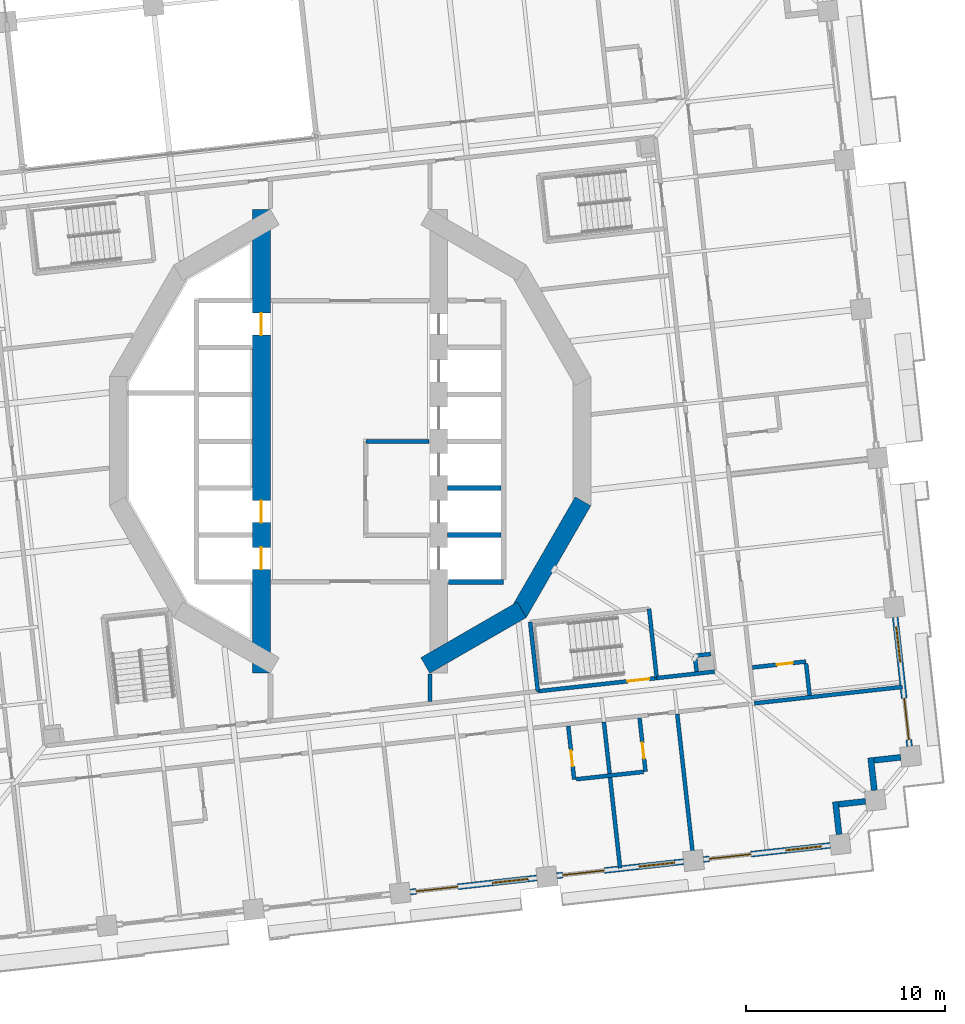
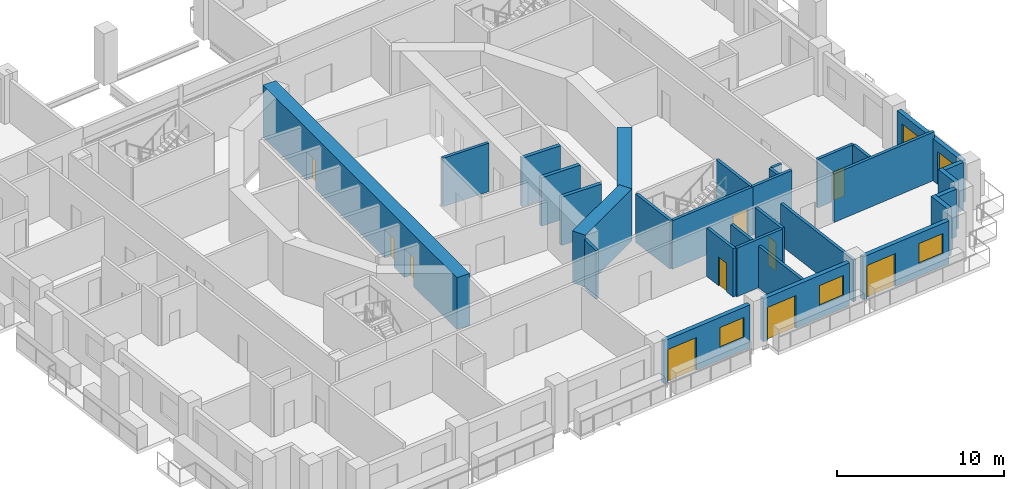
# One storey, part 9 of 21: 30 walls, 11 doors, 4 windows, 15 openings.
"""IFC4 building model written with IfcOpenShell, lengths in metres."""

from ifc_helpers import new_model, si_unit, direction, frame, frame_2d, origin, place, context, subcontext, project, spatial, rectangle, extrude, material, layer, layer_set, type_object, element, fill, save


model = new_model("IFC4")

# Units and contexts
model_context = context("Model", 3, precision=1e-05, world=origin(), true_north=direction((0.0, 1.0)))
body_context = subcontext(model_context, "Body", "Model", "MODEL_VIEW")
ifc_project = project(units=[si_unit("LENGTHUNIT", "METRE"), si_unit("AREAUNIT", "SQUARE_METRE"), si_unit("VOLUMEUNIT", "CUBIC_METRE"), si_unit("PLANEANGLEUNIT", "RADIAN"), si_unit("MASSUNIT", "GRAM", prefix="KILO")], contexts=[model_context])

# Site, building, storey
site_placement = place(None, origin())
site = spatial("IfcSite", under=ifc_project, at=site_placement, CompositionType="ELEMENT")
building_placement = place(site_placement, origin())
building = spatial("IfcBuilding", under=site, at=building_placement, Name="Cantera Rosa Tower", CompositionType="ELEMENT")
storey_placement = place(building_placement, frame((0.0, 0.0, 57.699951171875)))
storey = spatial("IfcBuildingStorey", under=building, at=storey_placement, Name="L11", CompositionType="ELEMENT", Elevation=57.699951171875)

# Walls
ifc_material_1 = material(Name="Gypsum board partition")
ifc_layer_1 = layer(ifc_material_1, 0.199951171875)
ifc_layer_set_1 = layer_set([ifc_layer_1], Name="CORRIDOR WALL 200 H3550")
wall_type_1 = type_object("IfcWallType", Name="CORRIDOR WALL 200 H3550", PredefinedType="PARTITIONING", material=ifc_layer_set_1)
wall_1_placement = place(storey_placement, frame((4.0, -13.038818359375, 0.0), z_axis=(0.0, 0.0, 1.0), x_axis=(0.0, 1.0, 0.0)))
element("IfcWall", 1, at=wall_1_placement, inside=storey, type_object=wall_type_1, Name="CORRIDOR WALL L11-059", PredefinedType="PARTITIONING", context=body_context, shape_type="SweptSolid", body=[
    extrude(rectangle(XDim=1.37158203125, YDim=0.199951171875, at=frame_2d((0.685791015625, 0.0))), origin(), (0.0, 0.0, 1.0), 3.550048828125),
])
wall_2_placement = place(storey_placement, frame((15.382080078125, -11.87548828125, 0.0), z_axis=(0.0, 0.0, 1.0), x_axis=(0.993899009794, 0.110293963256, 0.0)))
element("IfcWall", 2, at=wall_2_placement, inside=storey, type_object=wall_type_1, Name="CORRIDOR WALL L11-086", PredefinedType="PARTITIONING", context=body_context, shape_type="SweptSolid", body=[
    extrude(rectangle(XDim=2.921875, YDim=0.199951171875, at=frame_2d((1.4609375, 0.0))), origin(), (0.0, 0.0, 1.0), 3.550048828125),
])
ifc_material_2 = material(Name="Hollow clay masonry with cantera stone cladding", Category="masonry")
ifc_layer_2 = layer(ifc_material_2, 0.300048828125)
ifc_layer_set_2 = layer_set([ifc_layer_2], Name="EW-LOGGIA 300")
wall_type_2 = type_object("IfcWallType", Name="EW-LOGGIA 300", PredefinedType="SOLIDWALL", material=ifc_layer_set_2)
wall_3_placement = place(storey_placement, frame((24.5244140625, -19.71484375, 0.0), z_axis=(0.0, 0.0, 1.0), x_axis=(-0.110236638423, 0.993905369514, 0.0)))
element("IfcWall", 3, at=wall_3_placement, inside=storey, type_object=wall_type_2, Name="EN-L11-W29a", PredefinedType="SOLIDWALL", context=body_context, shape_type="SweptSolid", body=[
    extrude(rectangle(XDim=1.64990234375, YDim=0.300048828125, at=frame_2d((0.824951171875, 0.0))), origin(), (0.0, 0.0, 1.0), 3.5),
])
wall_4_placement = place(storey_placement, frame((24.508056640625, -18.20751953125, 0.0), z_axis=(0.0, 0.0, 1.0), x_axis=(0.993896959738, 0.110312435488, 0.0)))
element("IfcWall", 4, at=wall_4_placement, inside=storey, type_object=wall_type_2, Name="EN-L11-W29b", PredefinedType="SOLIDWALL", context=body_context, shape_type="SweptSolid", body=[
    extrude(rectangle(XDim=1.35009765625, YDim=0.300048828125, at=frame_2d((0.675048828125, 0.0))), origin(), (0.0, 0.0, 1.0), 3.5),
])
wall_5_placement = place(storey_placement, frame((26.291748046875, -17.506591796875, 0.0), z_axis=(0.0, 0.0, 1.0), x_axis=(-0.110382805355, 0.993889146878, 0.0)))
element("IfcWall", 5, at=wall_5_placement, inside=storey, type_object=wall_type_2, Name="EN-L11-W30a", PredefinedType="SOLIDWALL", context=body_context, shape_type="SweptSolid", body=[
    extrude(rectangle(XDim=1.64990234375, YDim=0.300048828125, at=frame_2d((0.824951171875, 0.0))), origin(), (0.0, 0.0, 1.0), 3.5),
])
wall_6_placement = place(storey_placement, frame((26.275146484375, -15.999267578125, 0.0), z_axis=(0.0, 0.0, 1.0), x_axis=(0.993896959738, 0.110312435488, 0.0)))
element("IfcWall", 6, at=wall_6_placement, inside=storey, type_object=wall_type_2, Name="EN-L11-W30b", PredefinedType="SOLIDWALL", context=body_context, shape_type="SweptSolid", body=[
    extrude(rectangle(XDim=1.35009765625, YDim=0.300048828125, at=frame_2d((0.675048828125, 0.0))), origin(), (0.0, 0.0, 1.0), 3.5),
])

# Wall, openings, window, door
ifc_material_3 = material(Name="Hollow clay masonry with cantera stone cladding", Category="masonry")
ifc_layer_3 = layer(ifc_material_3, 0.300048828125)
ifc_layer_set_3 = layer_set([ifc_layer_3], Name="EW-LOGGIA 300 H3090")
wall_type_3 = type_object("IfcWallType", Name="EW-LOGGIA 300 H3090", PredefinedType="SOLIDWALL", material=ifc_layer_set_3)
wall_7_placement = place(storey_placement, frame((28.058837890625, -15.298095703125, 0.0), z_axis=(0.0, 0.0, 1.0), x_axis=(-0.110312341265, 0.993896970196, 0.0)))
wall_7 = element("IfcWall", 7, at=wall_7_placement, inside=storey, type_object=wall_type_3, Name="EN-L11-W01", PredefinedType="SOLIDWALL", context=body_context, shape_type="SweptSolid", body=[
    extrude(rectangle(XDim=6.52001953125, YDim=0.300048828125, at=frame_2d((3.260009765625, 0.0))), origin(), (0.0, 0.0, 1.0), 3.090087890625),
])
opening_1_placement = place(wall_7_placement, frame((0.330078125, 0.0, 0.0)))
opening_1 = element("IfcOpeningElement", 8, at=opening_1_placement, cuts=wall_7, Name="Opening L11-TD01", PredefinedType="OPENING", context=body_context, shape_type="SweptSolid", body=[
    extrude(rectangle(XDim=2.10009765625, YDim=2.39990234375, at=frame_2d((1.050048828125, 1.199951171875))), frame((0.0, 0.159912109375, 0.0), z_axis=(0.0, -1.0, 0.0), x_axis=(1.0, 0.0, 0.0)), (0.0, 0.0, 1.0), 0.320068359375),
])
opening_2_placement = place(wall_7_placement, frame((4.239990234375, 0.0, 0.89990234375)))
opening_2 = element("IfcOpeningElement", 9, at=opening_2_placement, cuts=wall_7, Name="Opening L11-W02", PredefinedType="OPENING", context=body_context, shape_type="SweptSolid", body=[
    extrude(rectangle(XDim=1.800048828125, YDim=1.5, at=frame_2d((0.89990234375, 0.75))), frame((0.0, 0.159912109375, 0.0), z_axis=(0.0, -1.0, 0.0), x_axis=(1.0, 0.0, 0.0)), (0.0, 0.0, 1.0), 0.320068359375),
])
ifc_material_4 = material(Name="Aluminium frame with clear glass", Category="aluminium")
window_type = type_object("IfcWindowType", Name="Hotel room window 1800x1500", PartitioningType="DOUBLE_PANEL_VERTICAL", PredefinedType="WINDOW", material=ifc_material_4)
window_1_placement = place(opening_2_placement, origin())
window_1 = element("IfcWindow", 10, at=window_1_placement, inside=storey, type_object=window_type, Name="WINDOW L11-W02", OverallHeight=1.5, OverallWidth=1.800048828125, PartitioningType="SINGLE_PANEL", PredefinedType="WINDOW", context=body_context, shape_type="SweptSolid", body=[
    extrude(rectangle(XDim=1.800048828125, YDim=1.5, at=frame_2d((0.89990234375, 0.75))), frame((0.0, 0.030029296875, 0.0), z_axis=(0.0, -1.0, 0.0), x_axis=(1.0, 0.0, 0.0)), (0.0, 0.0, 1.0), 0.06005859375),
])
fill(opening_2, window_1)
ifc_material_5 = material(Name="Aluminium frame with clear glass", Category="aluminium")
door_type_1 = type_object("IfcDoorType", Name="TD-H 2100x2400", OperationType="NOTDEFINED", PredefinedType="DOOR", material=ifc_material_5)
door_1_placement = place(opening_1_placement, origin())
door_1 = element("IfcDoor", 11, at=door_1_placement, inside=storey, type_object=door_type_1, Name="LOGGIA DOOR L11-TD01", OperationType="SLIDING_TO_LEFT", OverallHeight=2.39990234375, OverallWidth=2.10009765625, PredefinedType="DOOR", context=body_context, shape_type="SweptSolid", body=[
    extrude(rectangle(XDim=2.10009765625, YDim=2.39990234375, at=frame_2d((1.050048828125, 1.199951171875))), frame((0.0, 0.02490234375, 0.0), z_axis=(0.0, -1.0, 0.0), x_axis=(1.0, 0.0, 0.0)), (0.0, 0.0, 1.0), 0.050048828125),
])
fill(opening_1, door_1)

ifc_material_6 = material(Name="Hollow clay masonry with cantera stone cladding", Category="masonry")
ifc_layer_4 = layer(ifc_material_6, 0.300048828125)
ifc_layer_set_4 = layer_set([ifc_layer_4], Name="EW-LOGGIA 300 H3140")
wall_type_4 = type_object("IfcWallType", Name="EW-LOGGIA 300 H3140", PredefinedType="SOLIDWALL", material=ifc_layer_set_4)
wall_8_placement = place(storey_placement, frame((3.011962890625, -22.605712890625, 0.0), z_axis=(0.0, 0.0, 1.0), x_axis=(0.993896288542, 0.110318482689, 0.0)))
wall_8 = element("IfcWall", 12, at=wall_8_placement, inside=storey, type_object=wall_type_4, Name="EN-L11-W26", PredefinedType="SOLIDWALL", context=body_context, shape_type="SweptSolid", body=[
    extrude(rectangle(XDim=6.400146484375, YDim=0.300048828125, at=frame_2d((3.2001953125, 0.0))), origin(), (0.0, 0.0, 1.0), 3.14013671875),
])
opening_3_placement = place(wall_8_placement, frame((0.300048828125, 0.0, 0.0)))
opening_3 = element("IfcOpeningElement", 13, at=opening_3_placement, cuts=wall_8, Name="Opening L11-TD35", PredefinedType="OPENING", context=body_context, shape_type="SweptSolid", body=[
    extrude(rectangle(XDim=2.10009765625, YDim=2.39990234375, at=frame_2d((1.050048828125, 1.199951171875))), frame((0.0, 0.159912109375, 0.0), z_axis=(0.0, -1.0, 0.0), x_axis=(1.0, 0.0, 0.0)), (0.0, 0.0, 1.0), 0.320068359375),
])
opening_4_placement = place(wall_8_placement, frame((4.14990234375, 0.0, 0.89990234375)))
opening_4 = element("IfcOpeningElement", 14, at=opening_4_placement, cuts=wall_8, Name="Opening L11-W36", PredefinedType="OPENING", context=body_context, shape_type="SweptSolid", body=[
    extrude(rectangle(XDim=1.800048828125, YDim=1.5, at=frame_2d((0.89990234375, 0.75))), frame((0.0, 0.159912109375, 0.0), z_axis=(0.0, -1.0, 0.0), x_axis=(1.0, 0.0, 0.0)), (0.0, 0.0, 1.0), 0.320068359375),
])
window_2_placement = place(opening_4_placement, origin())
window_2 = element("IfcWindow", 15, at=window_2_placement, inside=storey, type_object=window_type, Name="WINDOW L11-W36", OverallHeight=1.5, OverallWidth=1.800048828125, PartitioningType="SINGLE_PANEL", PredefinedType="WINDOW", context=body_context, shape_type="SweptSolid", body=[
    extrude(rectangle(XDim=1.800048828125, YDim=1.5, at=frame_2d((0.89990234375, 0.75))), frame((0.0, 0.030029296875, 0.0), z_axis=(0.0, -1.0, 0.0), x_axis=(1.0, 0.0, 0.0)), (0.0, 0.0, 1.0), 0.06005859375),
])
fill(opening_4, window_2)
door_2_placement = place(opening_3_placement, origin())
door_2 = element("IfcDoor", 16, at=door_2_placement, inside=storey, type_object=door_type_1, Name="LOGGIA DOOR L11-TD35", OperationType="SLIDING_TO_LEFT", OverallHeight=2.39990234375, OverallWidth=2.10009765625, PredefinedType="DOOR", context=body_context, shape_type="SweptSolid", body=[
    extrude(rectangle(XDim=2.10009765625, YDim=2.39990234375, at=frame_2d((1.050048828125, 1.199951171875))), frame((0.0, 0.02490234375, 0.0), z_axis=(0.0, -1.0, 0.0), x_axis=(1.0, 0.0, 0.0)), (0.0, 0.0, 1.0), 0.050048828125),
])
fill(opening_3, door_2)

wall_9_placement = place(storey_placement, frame((10.366943359375, -21.789306640625, 0.0), z_axis=(0.0, 0.0, 1.0), x_axis=(0.993900006422, 0.110284981906, 0.0)))
wall_9 = element("IfcWall", 17, at=wall_9_placement, inside=storey, type_object=wall_type_4, Name="EN-L11-W27", PredefinedType="SOLIDWALL", context=body_context, shape_type="SweptSolid", body=[
    extrude(rectangle(XDim=6.39990234375, YDim=0.300048828125, at=frame_2d((3.199951171875, 0.0))), origin(), (0.0, 0.0, 1.0), 3.14013671875),
])
opening_5_placement = place(wall_9_placement, frame((0.300048828125, 0.0, 0.0)))
opening_5 = element("IfcOpeningElement", 18, at=opening_5_placement, cuts=wall_9, Name="Opening L11-TD37", PredefinedType="OPENING", context=body_context, shape_type="SweptSolid", body=[
    extrude(rectangle(XDim=2.10009765625, YDim=2.39990234375, at=frame_2d((1.050048828125, 1.199951171875))), frame((0.0, 0.159912109375, 0.0), z_axis=(0.0, -1.0, 0.0), x_axis=(1.0, 0.0, 0.0)), (0.0, 0.0, 1.0), 0.320068359375),
])
opening_6_placement = place(wall_9_placement, frame((4.14990234375, 0.0, 0.89990234375)))
opening_6 = element("IfcOpeningElement", 19, at=opening_6_placement, cuts=wall_9, Name="Opening L11-W38", PredefinedType="OPENING", context=body_context, shape_type="SweptSolid", body=[
    extrude(rectangle(XDim=1.800048828125, YDim=1.5, at=frame_2d((0.89990234375, 0.75))), frame((0.0, 0.159912109375, 0.0), z_axis=(0.0, -1.0, 0.0), x_axis=(1.0, 0.0, 0.0)), (0.0, 0.0, 1.0), 0.320068359375),
])
window_3_placement = place(opening_6_placement, origin())
window_3 = element("IfcWindow", 20, at=window_3_placement, inside=storey, type_object=window_type, Name="WINDOW L11-W38", OverallHeight=1.5, OverallWidth=1.800048828125, PartitioningType="SINGLE_PANEL", PredefinedType="WINDOW", context=body_context, shape_type="SweptSolid", body=[
    extrude(rectangle(XDim=1.800048828125, YDim=1.5, at=frame_2d((0.89990234375, 0.75))), frame((0.0, 0.030029296875, 0.0), z_axis=(0.0, -1.0, 0.0), x_axis=(1.0, 0.0, 0.0)), (0.0, 0.0, 1.0), 0.06005859375),
])
fill(opening_6, window_3)
door_3_placement = place(opening_5_placement, origin())
door_3 = element("IfcDoor", 21, at=door_3_placement, inside=storey, type_object=door_type_1, Name="LOGGIA DOOR L11-TD37", OperationType="SLIDING_TO_LEFT", OverallHeight=2.39990234375, OverallWidth=2.10009765625, PredefinedType="DOOR", context=body_context, shape_type="SweptSolid", body=[
    extrude(rectangle(XDim=2.10009765625, YDim=2.39990234375, at=frame_2d((1.050048828125, 1.199951171875))), frame((0.0, 0.02490234375, 0.0), z_axis=(0.0, -1.0, 0.0), x_axis=(1.0, 0.0, 0.0)), (0.0, 0.0, 1.0), 0.050048828125),
])
fill(opening_5, door_3)

wall_10_placement = place(storey_placement, frame((17.7216796875, -20.97314453125, 0.0), z_axis=(0.0, 0.0, 1.0), x_axis=(0.993896288542, 0.110318482689, 0.0)))
wall_10 = element("IfcWall", 22, at=wall_10_placement, inside=storey, type_object=wall_type_4, Name="EN-L11-W28", PredefinedType="SOLIDWALL", context=body_context, shape_type="SweptSolid", body=[
    extrude(rectangle(XDim=6.400146484375, YDim=0.300048828125, at=frame_2d((3.2001953125, 0.0))), origin(), (0.0, 0.0, 1.0), 3.14013671875),
])
opening_7_placement = place(wall_10_placement, frame((0.300048828125, 0.0, 0.0)))
opening_7 = element("IfcOpeningElement", 23, at=opening_7_placement, cuts=wall_10, Name="Opening L11-TD39", PredefinedType="OPENING", context=body_context, shape_type="SweptSolid", body=[
    extrude(rectangle(XDim=2.10009765625, YDim=2.39990234375, at=frame_2d((1.050048828125, 1.199951171875))), frame((0.0, 0.159912109375, 0.0), z_axis=(0.0, -1.0, 0.0), x_axis=(1.0, 0.0, 0.0)), (0.0, 0.0, 1.0), 0.320068359375),
])
opening_8_placement = place(wall_10_placement, frame((4.14990234375, 0.0, 0.89990234375)))
opening_8 = element("IfcOpeningElement", 24, at=opening_8_placement, cuts=wall_10, Name="Opening L11-W40", PredefinedType="OPENING", context=body_context, shape_type="SweptSolid", body=[
    extrude(rectangle(XDim=1.800048828125, YDim=1.5, at=frame_2d((0.89990234375, 0.75))), frame((0.0, 0.159912109375, 0.0), z_axis=(0.0, -1.0, 0.0), x_axis=(1.0, 0.0, 0.0)), (0.0, 0.0, 1.0), 0.320068359375),
])
window_4_placement = place(opening_8_placement, origin())
window_4 = element("IfcWindow", 25, at=window_4_placement, inside=storey, type_object=window_type, Name="WINDOW L11-W40", OverallHeight=1.5, OverallWidth=1.800048828125, PartitioningType="SINGLE_PANEL", PredefinedType="WINDOW", context=body_context, shape_type="SweptSolid", body=[
    extrude(rectangle(XDim=1.800048828125, YDim=1.5, at=frame_2d((0.89990234375, 0.75))), frame((0.0, 0.030029296875, 0.0), z_axis=(0.0, -1.0, 0.0), x_axis=(1.0, 0.0, 0.0)), (0.0, 0.0, 1.0), 0.06005859375),
])
fill(opening_8, window_4)
door_4_placement = place(opening_7_placement, origin())
door_4 = element("IfcDoor", 26, at=door_4_placement, inside=storey, type_object=door_type_1, Name="LOGGIA DOOR L11-TD39", OperationType="SLIDING_TO_LEFT", OverallHeight=2.39990234375, OverallWidth=2.10009765625, PredefinedType="DOOR", context=body_context, shape_type="SweptSolid", body=[
    extrude(rectangle(XDim=2.10009765625, YDim=2.39990234375, at=frame_2d((1.050048828125, 1.199951171875))), frame((0.0, 0.02490234375, 0.0), z_axis=(0.0, -1.0, 0.0), x_axis=(1.0, 0.0, 0.0)), (0.0, 0.0, 1.0), 0.050048828125),
])
fill(opening_7, door_4)

# Wall, opening, door
ifc_material_7 = material(Name="Gypsum board partition")
ifc_layer_5 = layer(ifc_material_7, 0.199951171875)
ifc_layer_set_5 = layer_set([ifc_layer_5], Name="PARTITION 200 H3550")
wall_type_5 = type_object("IfcWallType", Name="PARTITION 200 H3550", PredefinedType="PARTITIONING", material=ifc_layer_set_5)
wall_11_placement = place(storey_placement, frame((11.239990234375, -16.963623046875, 0.0), z_axis=(0.0, 0.0, 1.0), x_axis=(-0.110312435488, 0.993896959738, 0.0)))
wall_11 = element("IfcWall", 27, at=wall_11_placement, inside=storey, type_object=wall_type_5, Name="PARTITION L11-074", PredefinedType="PARTITIONING", context=body_context, shape_type="SweptSolid", body=[
    extrude(rectangle(XDim=2.699951171875, YDim=0.199951171875, at=frame_2d((1.35009765625, 0.0))), origin(), (0.0, 0.0, 1.0), 3.550048828125),
])
opening_9_placement = place(wall_11_placement, frame((0.6640625, 0.0, 0.0)))
opening_9 = element("IfcOpeningElement", 28, at=opening_9_placement, cuts=wall_11, Name="Opening L11-043", PredefinedType="OPENING", context=body_context, shape_type="SweptSolid", body=[
    extrude(rectangle(XDim=0.800048828125, YDim=2.10009765625, at=frame_2d((0.39990234375, 1.050048828125))), frame((0.0, 0.10986328125, 0.0), z_axis=(0.0, -1.0, 0.0), x_axis=(1.0, 0.0, 0.0)), (0.0, 0.0, 1.0), 0.219970703125),
])
ifc_material_8 = material(Name="Timber door leaf", Category="wood")
door_type_2 = type_object("IfcDoorType", Name="BATHROOM DOOR 800x2100", OperationType="NOTDEFINED", PredefinedType="DOOR", material=ifc_material_8)
door_5_placement = place(opening_9_placement, origin())
door_5 = element("IfcDoor", 29, at=door_5_placement, inside=storey, type_object=door_type_2, Name="DOOR L11-043", OperationType="NOTDEFINED", OverallHeight=2.10009765625, OverallWidth=0.800048828125, PredefinedType="DOOR", context=body_context, shape_type="SweptSolid", body=[
    extrude(rectangle(XDim=0.800048828125, YDim=2.10009765625, at=frame_2d((0.39990234375, 1.050048828125))), frame((0.0, 0.02490234375, 0.0), z_axis=(0.0, -1.0, 0.0), x_axis=(1.0, 0.0, 0.0)), (0.0, 0.0, 1.0), 0.050048828125),
])
fill(opening_9, door_5)

wall_12_placement = place(storey_placement, frame((14.52001953125, -13.883056640625, 0.0), z_axis=(0.0, 0.0, 1.0), x_axis=(0.110322349952, -0.993895859284, 0.0)))
wall_12 = element("IfcWall", 30, at=wall_12_placement, inside=storey, type_object=wall_type_5, Name="PARTITION L11-080", PredefinedType="PARTITIONING", context=body_context, shape_type="SweptSolid", body=[
    extrude(rectangle(XDim=2.699951171875, YDim=0.199951171875, at=frame_2d((1.35009765625, 0.0))), origin(), (0.0, 0.0, 1.0), 3.550048828125),
])
opening_10_placement = place(wall_12_placement, frame((1.236083984375, 0.0, 0.0)))
opening_10 = element("IfcOpeningElement", 31, at=opening_10_placement, cuts=wall_12, Name="Opening L11-045", PredefinedType="OPENING", context=body_context, shape_type="SweptSolid", body=[
    extrude(rectangle(XDim=0.800048828125, YDim=2.10009765625, at=frame_2d((0.39990234375, 1.050048828125))), frame((0.0, 0.10986328125, 0.0), z_axis=(0.0, -1.0, 0.0), x_axis=(1.0, 0.0, 0.0)), (0.0, 0.0, 1.0), 0.219970703125),
])
door_6_placement = place(opening_10_placement, origin())
door_6 = element("IfcDoor", 32, at=door_6_placement, inside=storey, type_object=door_type_2, Name="DOOR L11-045", OperationType="NOTDEFINED", OverallHeight=2.10009765625, OverallWidth=0.800048828125, PredefinedType="DOOR", context=body_context, shape_type="SweptSolid", body=[
    extrude(rectangle(XDim=0.800048828125, YDim=2.10009765625, at=frame_2d((0.39990234375, 1.050048828125))), frame((0.0, 0.02490234375, 0.0), z_axis=(0.0, -1.0, 0.0), x_axis=(1.0, 0.0, 0.0)), (0.0, 0.0, 1.0), 0.050048828125),
])
fill(opening_10, door_6)

# Walls
wall_13_placement = place(storey_placement, frame((14.718505859375, -16.577392578125, 0.0), z_axis=(0.0, 0.0, 1.0), x_axis=(-0.993890738306, -0.110368475166, 0.0)))
element("IfcWall", 33, at=wall_13_placement, inside=storey, type_object=wall_type_5, Name="PARTITION L11-082", PredefinedType="PARTITIONING", context=body_context, shape_type="SweptSolid", body=[
    extrude(rectangle(XDim=3.39990234375, YDim=0.199951171875, at=frame_2d((1.699951171875, 0.0))), origin(), (0.0, 0.0, 1.0), 3.550048828125),
])
wall_14_placement = place(storey_placement, frame((17.292236328125, -10.758056640625, 0.0), z_axis=(0.0, 0.0, 1.0), x_axis=(0.110465018303, -0.993880012744, 0.0)))
element("IfcWall", 34, at=wall_14_placement, inside=storey, type_object=wall_type_5, Name="PARTITION L11-097", PredefinedType="PARTITIONING", context=body_context, shape_type="SweptSolid", body=[
    extrude(rectangle(XDim=0.800048828125, YDim=0.199951171875, at=frame_2d((0.39990234375, 0.0))), origin(), (0.0, 0.0, 1.0), 3.550048828125),
])
wall_15_placement = place(storey_placement, frame((18.08740234375, -10.669921875, 0.0), z_axis=(0.0, 0.0, 1.0), x_axis=(-0.993909225707, -0.110201865026, 0.0)))
element("IfcWall", 35, at=wall_15_placement, inside=storey, type_object=wall_type_5, Name="PARTITION L11-099", PredefinedType="PARTITIONING", context=body_context, shape_type="SweptSolid", body=[
    extrude(rectangle(XDim=0.699951171875, YDim=0.199951171875, at=frame_2d((0.35009765625, 0.0))), origin(), (0.0, 0.0, 1.0), 3.550048828125),
])

# Wall, opening, door
wall_16_placement = place(storey_placement, frame((20.174560546875, -11.34375, 0.0), z_axis=(0.0, 0.0, 1.0), x_axis=(0.993895859284, 0.110322349952, 0.0)))
wall_16 = element("IfcWall", 36, at=wall_16_placement, inside=storey, type_object=wall_type_5, Name="PARTITION L11-103", PredefinedType="PARTITIONING", context=body_context, shape_type="SweptSolid", body=[
    extrude(rectangle(XDim=2.699951171875, YDim=0.199951171875, at=frame_2d((1.35009765625, 0.0))), origin(), (0.0, 0.0, 1.0), 3.550048828125),
])
opening_11_placement = place(wall_16_placement, frame((1.236083984375, 0.0, 0.0)))
opening_11 = element("IfcOpeningElement", 37, at=opening_11_placement, cuts=wall_16, Name="Opening L11-020", PredefinedType="OPENING", context=body_context, shape_type="SweptSolid", body=[
    extrude(rectangle(XDim=0.800048828125, YDim=2.10009765625, at=frame_2d((0.39990234375, 1.050048828125))), frame((0.0, 0.10986328125, 0.0), z_axis=(0.0, -1.0, 0.0), x_axis=(1.0, 0.0, 0.0)), (0.0, 0.0, 1.0), 0.219970703125),
])
door_7_placement = place(opening_11_placement, origin())
door_7 = element("IfcDoor", 38, at=door_7_placement, inside=storey, type_object=door_type_2, Name="DOOR L11-020", OperationType="NOTDEFINED", OverallHeight=2.10009765625, OverallWidth=0.800048828125, PredefinedType="DOOR", context=body_context, shape_type="SweptSolid", body=[
    extrude(rectangle(XDim=0.800048828125, YDim=2.10009765625, at=frame_2d((0.39990234375, 1.050048828125))), frame((0.0, 0.02490234375, 0.0), z_axis=(0.0, -1.0, 0.0), x_axis=(1.0, 0.0, 0.0)), (0.0, 0.0, 1.0), 0.050048828125),
])
fill(opening_11, door_7)

# Walls
wall_17_placement = place(storey_placement, frame((22.868896484375, -11.145263671875, 0.0), z_axis=(0.0, 0.0, 1.0), x_axis=(0.110314300314, -0.99389675276, 0.0)))
element("IfcWall", 39, at=wall_17_placement, inside=storey, type_object=wall_type_5, Name="PARTITION L11-108", PredefinedType="PARTITIONING", context=body_context, shape_type="SweptSolid", body=[
    extrude(rectangle(XDim=1.60009765625, YDim=0.199951171875, at=frame_2d((0.800048828125, 0.0))), origin(), (0.0, 0.0, 1.0), 3.550048828125),
])
ifc_material_9 = material(Name="Gypsum board partition")
ifc_layer_6 = layer(ifc_material_9, 0.199951171875)
ifc_layer_set_6 = layer_set([ifc_layer_6], Name="PARTY WALL 200 H3050")
wall_type_6 = type_object("IfcWallType", Name="PARTY WALL 200 H3050", PredefinedType="PARTITIONING", material=ifc_layer_set_6)
for number, where, z_axis, x_axis, name in (
    (40, (12.731201171875, -14.08154296875, 0.0), (0.0, 0.0, 1.0), (0.11031154238, -0.993897058864, 0.0), "PARTY WALL L11-076"),
    (41, (16.408447265625, -13.67333984375, 0.0), (0.0, 0.0, 1.0), (0.11031154238, -0.993897058864, 0.0), "PARTY WALL L11-090"),
):
    element("IfcWall", number, at=place(storey_placement, frame(where, z_axis=z_axis, x_axis=x_axis)), inside=storey, type_object=wall_type_6, Name=name, PredefinedType="PARTITIONING", context=body_context, shape_type="SweptSolid", body=[
        extrude(rectangle(XDim=7.369873046875, YDim=0.199951171875, at=frame_2d((3.68505859375, 0.0))), origin(), (0.0, 0.0, 1.0), 3.050048828125),
    ])
ifc_material_10 = material(Name="Gypsum board partition")
ifc_layer_7 = layer(ifc_material_10, 0.199951171875)
ifc_layer_set_7 = layer_set([ifc_layer_7], Name="PARTY WALL 200 H3550")
wall_type_7 = type_object("IfcWallType", Name="PARTY WALL 200 H3550", PredefinedType="PARTITIONING", material=ifc_layer_set_7)
wall_18_placement = place(storey_placement, frame((27.697998046875, -12.319580078125, 0.0), z_axis=(0.0, 0.0, 1.0), x_axis=(-0.993894093242, -0.110338259085, 0.0)))
element("IfcWall", 42, at=wall_18_placement, inside=storey, type_object=wall_type_7, Name="PARTY WALL L11-109", PredefinedType="PARTITIONING", context=body_context, shape_type="SweptSolid", body=[
    extrude(rectangle(XDim=7.469970703125, YDim=0.199951171875, at=frame_2d((3.73486328125, 0.0))), origin(), (0.0, 0.0, 1.0), 3.550048828125),
])

# Wall, openings, doors
ifc_material_11 = material(Name="Concrete C70/85", Category="concrete")
ifc_layer_8 = layer(ifc_material_11, 0.89990234375)
ifc_layer_set_8 = layer_set([ifc_layer_8], Name="RC CORE WALL 900 C70/85")
wall_type_8 = type_object("IfcWallType", Name="RC CORE WALL 900 C70/85", PredefinedType="SHEAR", material=ifc_layer_set_8)
wall_19_placement = place(storey_placement, frame((-4.449951171875, 11.632568359375, 0.0), z_axis=(0.0, 0.0, 1.0), x_axis=(0.0, -1.0, 0.0)))
wall_19 = element("IfcWall", 43, at=wall_19_placement, inside=storey, type_object=wall_type_8, Name="CW-W6 L11", PredefinedType="SHEAR", context=body_context, shape_type="SweptSolid", body=[
    extrude(rectangle(XDim=23.26513671875, YDim=0.89990234375, at=frame_2d((11.632568359375, 0.0))), origin(), (0.0, 0.0, 1.0), 3.800048828125),
])
opening_12_placement = place(wall_19_placement, frame((14.607421875, 0.0, 0.0)))
opening_12 = element("IfcOpeningElement", 44, at=opening_12_placement, cuts=wall_19, Name="Opening LD-P3-L11", PredefinedType="OPENING", context=body_context, shape_type="SweptSolid", body=[
    extrude(rectangle(XDim=1.10009765625, YDim=2.10009765625, at=frame_2d((0.550048828125, 1.050048828125))), frame((0.0, 0.4599609375, 0.0), z_axis=(0.0, -1.0, 0.0), x_axis=(1.0, 0.0, 0.0)), (0.0, 0.0, 1.0), 0.919921875),
])
opening_13_placement = place(wall_19_placement, frame((16.95751953125, 0.0, 0.0)))
opening_13 = element("IfcOpeningElement", 45, at=opening_13_placement, cuts=wall_19, Name="Opening LD-P4-L11", PredefinedType="OPENING", context=body_context, shape_type="SweptSolid", body=[
    extrude(rectangle(XDim=1.10009765625, YDim=2.10009765625, at=frame_2d((0.550048828125, 1.050048828125))), frame((0.0, 0.4599609375, 0.0), z_axis=(0.0, -1.0, 0.0), x_axis=(1.0, 0.0, 0.0)), (0.0, 0.0, 1.0), 0.919921875),
])
opening_14_placement = place(wall_19_placement, frame((5.20751953125, 0.0, 0.0)))
opening_14 = element("IfcOpeningElement", 46, at=opening_14_placement, cuts=wall_19, Name="Opening LD-P5-L11", PredefinedType="OPENING", context=body_context, shape_type="SweptSolid", body=[
    extrude(rectangle(XDim=1.10009765625, YDim=2.10009765625, at=frame_2d((0.550048828125, 1.050048828125))), frame((0.0, 0.4599609375, 0.0), z_axis=(0.0, -1.0, 0.0), x_axis=(1.0, 0.0, 0.0)), (0.0, 0.0, 1.0), 0.919921875),
])
ifc_material_12 = material(Name="Steel S355J2 (EN 10025-2)", Category="steel")
door_type_3 = type_object("IfcDoorType", Name="LANDING DOOR 1100x2100", OperationType="NOTDEFINED", PredefinedType="DOOR", material=ifc_material_12)
door_8_placement = place(opening_12_placement, origin())
door_8 = element("IfcDoor", 47, at=door_8_placement, inside=storey, type_object=door_type_3, Name="LANDING DOOR P3 L11", OperationType="SLIDING_TO_LEFT", OverallHeight=2.10009765625, OverallWidth=1.10009765625, PredefinedType="DOOR", context=body_context, shape_type="SweptSolid", body=[
    extrude(rectangle(XDim=1.10009765625, YDim=2.10009765625, at=frame_2d((0.550048828125, 1.050048828125))), frame((0.0, 0.02490234375, 0.0), z_axis=(0.0, -1.0, 0.0), x_axis=(1.0, 0.0, 0.0)), (0.0, 0.0, 1.0), 0.050048828125),
])
fill(opening_12, door_8)
door_9_placement = place(opening_13_placement, origin())
door_9 = element("IfcDoor", 48, at=door_9_placement, inside=storey, type_object=door_type_3, Name="LANDING DOOR P4 L11", OperationType="SLIDING_TO_LEFT", OverallHeight=2.10009765625, OverallWidth=1.10009765625, PredefinedType="DOOR", context=body_context, shape_type="SweptSolid", body=[
    extrude(rectangle(XDim=1.10009765625, YDim=2.10009765625, at=frame_2d((0.550048828125, 1.050048828125))), frame((0.0, 0.02490234375, 0.0), z_axis=(0.0, -1.0, 0.0), x_axis=(1.0, 0.0, 0.0)), (0.0, 0.0, 1.0), 0.050048828125),
])
fill(opening_13, door_9)
door_10_placement = place(opening_14_placement, origin())
door_10 = element("IfcDoor", 49, at=door_10_placement, inside=storey, type_object=door_type_3, Name="LANDING DOOR P5 L11", OperationType="SLIDING_TO_LEFT", OverallHeight=2.10009765625, OverallWidth=1.10009765625, PredefinedType="DOOR", context=body_context, shape_type="SweptSolid", body=[
    extrude(rectangle(XDim=1.10009765625, YDim=2.10009765625, at=frame_2d((0.550048828125, 1.050048828125))), frame((0.0, 0.02490234375, 0.0), z_axis=(0.0, -1.0, 0.0), x_axis=(1.0, 0.0, 0.0)), (0.0, 0.0, 1.0), 0.050048828125),
])
fill(opening_14, door_10)

# Walls
wall_20_placement = place(storey_placement, frame((11.684326171875, -3.01025390625, 0.0), z_axis=(0.0, 0.0, 1.0), x_axis=(-0.499990282633, -0.866031014036, 0.0)))
element("IfcWall", 50, at=wall_20_placement, inside=storey, type_object=wall_type_8, Name="CW-E4 L11", PredefinedType="SHEAR", context=body_context, shape_type="SweptSolid", body=[
    extrude(rectangle(XDim=6.470458984375, YDim=0.89990234375, at=frame_2d((3.2353515625, 0.0))), origin(), (0.0, 0.0, 1.0), 3.800048828125),
])
wall_21_placement = place(storey_placement, frame((8.61376953125, -8.44921875, 0.0), z_axis=(0.0, 0.0, 1.0), x_axis=(-0.866026961591, -0.49999730179, 0.0)))
element("IfcWall", 51, at=wall_21_placement, inside=storey, type_object=wall_type_8, Name="CW-E5 L11", PredefinedType="SHEAR", context=body_context, shape_type="SweptSolid", body=[
    extrude(rectangle(XDim=5.58740234375, YDim=0.89990234375, at=frame_2d((2.793701171875, 0.0))), origin(), (0.0, 0.0, 1.0), 3.800048828125),
])
ifc_material_13 = material(Name="Masonry blockwork", Category="masonry")
ifc_layer_9 = layer(ifc_material_13, 0.25)
ifc_layer_set_9 = layer_set([ifc_layer_9], Name="SHAFT WALL 250 H3550")
wall_type_9 = type_object("IfcWallType", Name="SHAFT WALL 250 H3550", PredefinedType="SOLIDWALL", material=ifc_layer_set_9)
wall_22_placement = place(storey_placement, frame((4.89990234375, -4.699951171875, 0.0), z_axis=(0.0, 0.0, 1.0), x_axis=(1.0, 0.0, 0.0)))
element("IfcWall", 52, at=wall_22_placement, inside=storey, type_object=wall_type_9, Name="SHAFT WALL L11-061", PredefinedType="SOLIDWALL", context=body_context, shape_type="SweptSolid", body=[
    extrude(rectangle(XDim=2.675048828125, YDim=0.25, at=frame_2d((1.33740234375, 0.0))), origin(), (0.0, 0.0, 1.0), 3.550048828125),
])
wall_23_placement = place(storey_placement, frame((4.929931640625, -7.050048828125, 0.0), z_axis=(0.0, 0.0, 1.0), x_axis=(1.0, 0.0, 0.0)))
element("IfcWall", 53, at=wall_23_placement, inside=storey, type_object=wall_type_9, Name="SHAFT WALL L11-063", PredefinedType="SOLIDWALL", context=body_context, shape_type="SweptSolid", body=[
    extrude(rectangle(XDim=2.77001953125, YDim=0.25, at=frame_2d((1.385009765625, 0.0))), origin(), (0.0, 0.0, 1.0), 3.550048828125),
])
wall_24_placement = place(storey_placement, frame((7.574951171875, -2.35009765625, 0.0), z_axis=(0.0, 0.0, 1.0), x_axis=(-1.0, 0.0, 0.0)))
element("IfcWall", 54, at=wall_24_placement, inside=storey, type_object=wall_type_9, Name="SHAFT WALL L11-065", PredefinedType="SOLIDWALL", context=body_context, shape_type="SweptSolid", body=[
    extrude(rectangle(XDim=2.675048828125, YDim=0.25, at=frame_2d((1.33740234375, 0.0))), origin(), (0.0, 0.0, 1.0), 3.550048828125),
])
ifc_material_14 = material(Name="Concrete C50/60", Category="concrete")
ifc_layer_10 = layer(ifc_material_14, 0.199951171875)
ifc_layer_set_10 = layer_set([ifc_layer_10], Name="STAIR WALL 200 H3550")
wall_type_10 = type_object("IfcWallType", Name="STAIR WALL 200 H3550", PredefinedType="SOLIDWALL", material=ifc_layer_set_10)
wall_25_placement = place(storey_placement, frame((0.800048828125, 0.0, 0.0), z_axis=(0.0, 0.0, 1.0), x_axis=(1.0, 0.0, 0.0)))
element("IfcWall", 55, at=wall_25_placement, inside=storey, type_object=wall_type_10, Name="STAIR WALL L11-055", PredefinedType="SOLIDWALL", context=body_context, shape_type="SweptSolid", body=[
    extrude(rectangle(XDim=3.169921875, YDim=0.199951171875, at=frame_2d((1.5849609375, 0.0))), origin(), (0.0, 0.0, 1.0), 3.550048828125),
])
wall_26_placement = place(storey_placement, frame((9.033447265625, -9.066162109375, 0.0), z_axis=(0.0, 0.0, 1.0), x_axis=(0.11030110325, -0.993898217436, 0.0)))
element("IfcWall", 56, at=wall_26_placement, inside=storey, type_object=wall_type_10, Name="STAIR WALL L11-069", PredefinedType="SOLIDWALL", context=body_context, shape_type="SweptSolid", body=[
    extrude(rectangle(XDim=3.49267578125, YDim=0.199951171875, at=frame_2d((1.746337890625, 0.0))), origin(), (0.0, 0.0, 1.0), 3.550048828125),
])

# Wall, opening, door
wall_27_placement = place(storey_placement, frame((9.418701171875, -12.53759765625, 0.0), z_axis=(0.0, 0.0, 1.0), x_axis=(0.993892663362, 0.110351138256, 0.0)))
wall_27 = element("IfcWall", 57, at=wall_27_placement, inside=storey, type_object=wall_type_10, Name="STAIR WALL L11-070", PredefinedType="SOLIDWALL", context=body_context, shape_type="SweptSolid", body=[
    extrude(rectangle(XDim=6.0, YDim=0.199951171875, at=frame_2d((3.0, 0.0))), origin(), (0.0, 0.0, 1.0), 3.550048828125),
])
opening_15_placement = place(wall_27_placement, frame((4.52490234375, 0.0, 0.0)))
opening_15 = element("IfcOpeningElement", 58, at=opening_15_placement, cuts=wall_27, Name="Opening L11-004", PredefinedType="OPENING", context=body_context, shape_type="SweptSolid", body=[
    extrude(rectangle(XDim=1.10009765625, YDim=2.10009765625, at=frame_2d((0.550048828125, 1.050048828125))), frame((0.0, 0.10986328125, 0.0), z_axis=(0.0, -1.0, 0.0), x_axis=(1.0, 0.0, 0.0)), (0.0, 0.0, 1.0), 0.219970703125),
])
ifc_material_15 = material(Name="Steel S355J2 (EN 10025-2)", Category="steel")
door_type_4 = type_object("IfcDoorType", Name="STAIR DOOR 1100x2100", OperationType="NOTDEFINED", PredefinedType="DOOR", material=ifc_material_15)
door_11_placement = place(opening_15_placement, origin())
door_11 = element("IfcDoor", 59, at=door_11_placement, inside=storey, type_object=door_type_4, Name="DOOR L11-004", OperationType="NOTDEFINED", OverallHeight=2.10009765625, OverallWidth=1.10009765625, PredefinedType="DOOR", context=body_context, shape_type="SweptSolid", body=[
    extrude(rectangle(XDim=1.10009765625, YDim=2.10009765625, at=frame_2d((0.550048828125, 1.050048828125))), frame((0.0, 0.02490234375, 0.0), z_axis=(0.0, -1.0, 0.0), x_axis=(1.0, 0.0, 0.0)), (0.0, 0.0, 1.0), 0.050048828125),
])
fill(opening_15, door_11)

# Wall
wall_28_placement = place(storey_placement, frame((15.382080078125, -11.87548828125, 0.0), z_axis=(0.0, 0.0, 1.0), x_axis=(-0.110308766705, 0.993897366929, 0.0)))
element("IfcWall", 60, at=wall_28_placement, inside=storey, type_object=wall_type_10, Name="STAIR WALL L11-085", PredefinedType="SOLIDWALL", context=body_context, shape_type="SweptSolid", body=[
    extrude(rectangle(XDim=3.492431640625, YDim=0.199951171875, at=frame_2d((1.74609375, 0.0))), origin(), (0.0, 0.0, 1.0), 3.550048828125),
])

save(model, "model.ifc")
